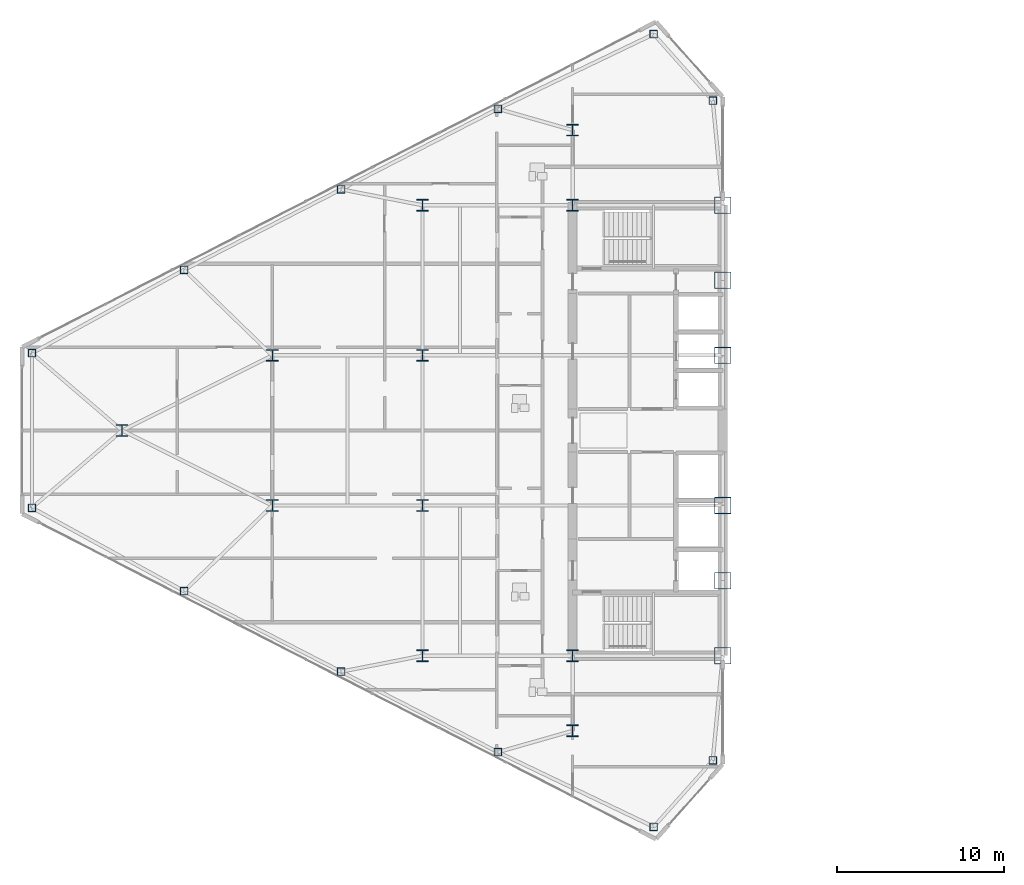
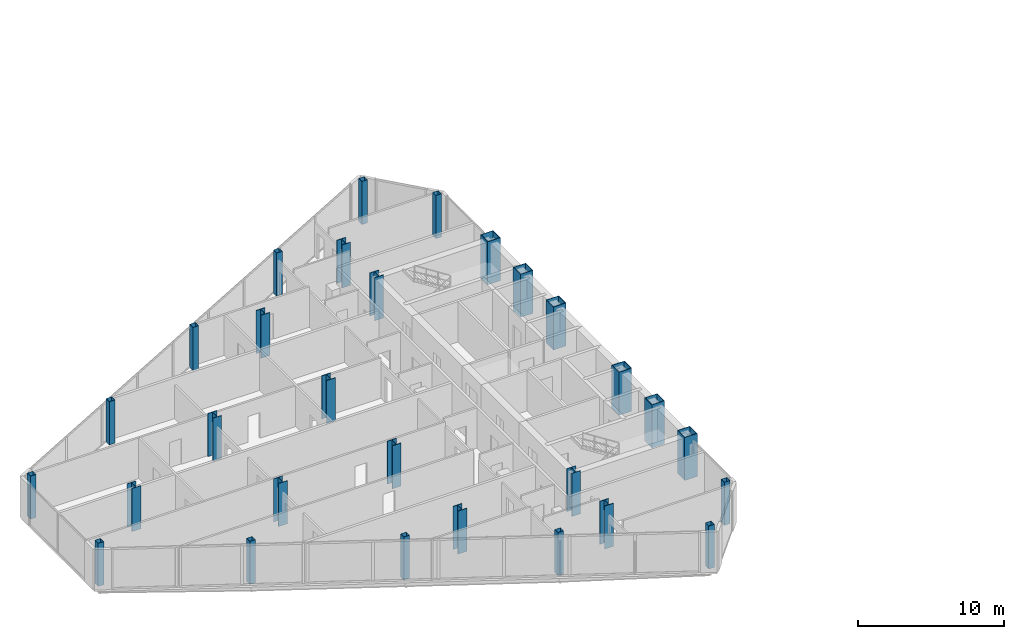
# One storey, part 1 of 24: 29 columns.
"""IFC4 building model written with IfcOpenShell, lengths in metres."""

from ifc_helpers import new_model, si_unit, direction, frame, origin, origin_2d, place, context, subcontext, project, spatial, hollow_rectangle, i_section, extrude, source, transform, mapped, material, material_profile, profile_set, type_object, type_shapes, element, save


model = new_model("IFC4")

# Units and contexts
model_context = context("Model", 3, precision=1e-05, world=origin(), true_north=direction((0.0, 1.0)))
body_context = subcontext(model_context, "Body", "Model", "MODEL_VIEW")
ifc_project = project(units=[si_unit("LENGTHUNIT", "METRE"), si_unit("AREAUNIT", "SQUARE_METRE"), si_unit("VOLUMEUNIT", "CUBIC_METRE"), si_unit("PLANEANGLEUNIT", "RADIAN"), si_unit("MASSUNIT", "GRAM", prefix="KILO")], contexts=[model_context])

# Site, building, storey
site_placement = place(None, origin())
site = spatial("IfcSite", under=ifc_project, at=site_placement, CompositionType="ELEMENT")
building_placement = place(site_placement, origin())
building = spatial("IfcBuilding", under=site, at=building_placement, Name="Seokmaru Belvedere", CompositionType="ELEMENT")
storey_placement = place(building_placement, frame((0.0, 0.0, 140.39990234375)))
storey = spatial("IfcBuildingStorey", under=building, at=storey_placement, Name="L37", CompositionType="ELEMENT", Elevation=140.39990234375)

# Columns
ifc_material_1 = material(Name="Steel HSA650 (650 MPa)", Category="steel")
ifc_material_profile_1 = material_profile(ifc_material_1, hollow_rectangle(XDim=1.0, YDim=1.0, WallThickness=0.0419921875, at=origin_2d()), Name="BOX-1000x1000x42")
ifc_profile_set_1 = profile_set([ifc_material_profile_1], Name="Steel HSA650 (650 MPa)")
column_type_1 = type_object("IfcColumnType", Name="Portal Spine Column BOX-1000", PredefinedType="COLUMN", material=ifc_profile_set_1)
shared_shape_1 = source(origin(), body_context, "Body", "SweptSolid", [
    extrude(hollow_rectangle(XDim=1.0, YDim=1.0, WallThickness=0.0419921875, at=origin_2d()), origin(), (0.0, 0.0, 1.0), 3.60009765625),
])
type_shapes(column_type_1, [shared_shape_1])
for number, where, z_axis, x_axis, name in (
    (1, (-27.5, -13.5, 0.0), (0.0, 0.0, 1.0), (1.0, 0.0, 0.0), "L37 Column WS1"),
    (2, (-27.5, -9.0, 0.0), (0.0, 0.0, 1.0), (1.0, 0.0, 0.0), "L37 Column WS2"),
    (3, (-27.5, -4.5, 0.0), (0.0, 0.0, 1.0), (1.0, 0.0, 0.0), "L37 Column WS3"),
    (4, (-27.5, 4.5, 0.0), (0.0, 0.0, 1.0), (1.0, 0.0, 0.0), "L37 Column WS4"),
    (5, (-27.5, 9.0, 0.0), (0.0, 0.0, 1.0), (1.0, 0.0, 0.0), "L37 Column WS5"),
    (6, (-27.5, 13.5, 0.0), (0.0, 0.0, 1.0), (1.0, 0.0, 0.0), "L37 Column WS6"),
):
    element("IfcColumn", number, at=place(storey_placement, frame(where, z_axis=z_axis, x_axis=x_axis)), inside=storey, type_object=column_type_1, Name=name, PredefinedType="COLUMN", context=body_context, shape_type="MappedRepresentation", body=[
        mapped(shared_shape_1, transform((0.0, 0.0, 0.0), scale=1.0)),
    ])
ifc_material_2 = material(Name="Steel SM355 (355 MPa)", Category="steel")
ifc_material_profile_2 = material_profile(ifc_material_2, i_section(OverallWidth=0.699951171875, OverallDepth=0.699951171875, WebThickness=0.028076171875, FlangeThickness=0.044921875, at=origin_2d()), Name="H-700x700x28x45")
ifc_profile_set_2 = profile_set([ifc_material_profile_2], Name="Steel SM355 (355 MPa)")
column_type_2 = type_object("IfcColumnType", Name="Mid Interior Column H-700", PredefinedType="COLUMN", material=ifc_profile_set_2)
shared_shape_2 = source(origin(), body_context, "Body", "SweptSolid", [
    extrude(i_section(OverallWidth=0.699951171875, OverallDepth=0.699951171875, WebThickness=0.028076171875, FlangeThickness=0.044921875, at=origin_2d()), origin(), (0.0, 0.0, 1.0), 3.60009765625),
])
type_shapes(column_type_2, [shared_shape_2])
for number, where, z_axis, x_axis, name in (
    (7, (-36.5, -18.0, 0.0), (0.0, 0.0, 1.0), (1.0, 0.0, 0.0), "L37 Column WC1"),
    (8, (-36.5, -13.5, 0.0), (0.0, 0.0, 1.0), (1.0, 0.0, 0.0), "L37 Column WC2"),
    (9, (-36.5, 13.5, 0.0), (0.0, 0.0, 1.0), (1.0, 0.0, 0.0), "L37 Column WC3"),
    (10, (-36.5, 18.0, 0.0), (0.0, 0.0, 1.0), (1.0, 0.0, 0.0), "L37 Column WC4"),
    (11, (-45.5, -13.5, 0.0), (0.0, 0.0, 1.0), (1.0, 0.0, 0.0), "L37 Column WG5_1"),
    (12, (-45.5, -4.5, 0.0), (0.0, 0.0, 1.0), (1.0, 0.0, 0.0), "L37 Column WG5_2"),
    (13, (-45.5, 4.5, 0.0), (0.0, 0.0, 1.0), (1.0, 0.0, 0.0), "L37 Column WG5_3"),
    (14, (-45.5, 13.5, 0.0), (0.0, 0.0, 1.0), (1.0, 0.0, 0.0), "L37 Column WG5_4"),
    (15, (-54.5, -4.5, 0.0), (0.0, 0.0, 1.0), (1.0, 0.0, 0.0), "L37 Column WG4P_1"),
    (16, (-54.5, 4.5, 0.0), (0.0, 0.0, 1.0), (1.0, 0.0, 0.0), "L37 Column WG4P_2"),
    (17, (-63.5, 0.0, 0.0), (0.0, 0.0, 1.0), (1.0, 0.0, 0.0), "L37 Column WG3P_1"),
):
    element("IfcColumn", number, at=place(storey_placement, frame(where, z_axis=z_axis, x_axis=x_axis)), inside=storey, type_object=column_type_2, Name=name, PredefinedType="COLUMN", context=body_context, shape_type="MappedRepresentation", body=[
        mapped(shared_shape_2, transform((0.0, 0.0, 0.0), scale=1.0)),
    ])
ifc_material_profile_3 = material_profile(ifc_material_2, hollow_rectangle(XDim=0.449951171875, YDim=0.449951171875, WallThickness=0.01806640625, at=origin_2d()), Name="HSS-450x450x18")
ifc_profile_set_3 = profile_set([ifc_material_profile_3], Name="Steel SM355 (355 MPa)")
column_type_3 = type_object("IfcColumnType", Name="Perimeter Facet Column HSS-450", PredefinedType="COLUMN", material=ifc_profile_set_3)
shared_shape_3 = source(origin(), body_context, "Body", "SweptSolid", [
    extrude(hollow_rectangle(XDim=0.449951171875, YDim=0.449951171875, WallThickness=0.01806640625, at=origin_2d()), origin(), (0.0, 0.0, 1.0), 3.60009765625),
])
type_shapes(column_type_3, [shared_shape_3])
for number, where, z_axis, x_axis, name in (
    (18, (-28.10009765625, -19.77197265625, 0.0), (0.0, 0.0, 1.0), (1.0, 0.0, 0.0), "L37 Column WF1"),
    (19, (-28.10009765625, 19.77197265625, 0.0), (0.0, 0.0, 1.0), (1.0, 0.0, 0.0), "L37 Column WF2"),
    (20, (-31.6396484375, 23.75390625, 0.0), (0.0, 0.0, 1.0), (1.0, 0.0, 0.0), "L37 Column WF3"),
    (21, (-68.89990234375, 4.633544921875, 0.0), (0.0, 0.0, 1.0), (1.0, 0.0, 0.0), "L37 Column WF4"),
    (22, (-68.89990234375, -4.633544921875, 0.0), (0.0, 0.0, 1.0), (1.0, 0.0, 0.0), "L37 Column WF5"),
    (23, (-31.6396484375, -23.75390625, 0.0), (0.0, 0.0, 1.0), (1.0, 0.0, 0.0), "L37 Column WF6"),
    (24, (-40.975830078125, -19.277587890625, 0.0), (0.0, 0.0, 1.0), (1.0, 0.0, 0.0), "L37 Column WFLK_S1"),
    (25, (-50.377197265625, -14.453369140625, 0.0), (0.0, 0.0, 1.0), (1.0, 0.0, 0.0), "L37 Column WFLK_S2"),
    (26, (-59.778564453125, -9.62890625, 0.0), (0.0, 0.0, 1.0), (1.0, 0.0, 0.0), "L37 Column WFLK_S3"),
    (27, (-40.975830078125, 19.277587890625, 0.0), (0.0, 0.0, 1.0), (1.0, 0.0, 0.0), "L37 Column WFLK_N1"),
    (28, (-50.377197265625, 14.453369140625, 0.0), (0.0, 0.0, 1.0), (1.0, 0.0, 0.0), "L37 Column WFLK_N2"),
    (29, (-59.778564453125, 9.62890625, 0.0), (0.0, 0.0, 1.0), (1.0, 0.0, 0.0), "L37 Column WFLK_N3"),
):
    element("IfcColumn", number, at=place(storey_placement, frame(where, z_axis=z_axis, x_axis=x_axis)), inside=storey, type_object=column_type_3, Name=name, PredefinedType="COLUMN", context=body_context, shape_type="MappedRepresentation", body=[
        mapped(shared_shape_3, transform((0.0, 0.0, 0.0), scale=1.0)),
    ])

save(model, "model.ifc")
